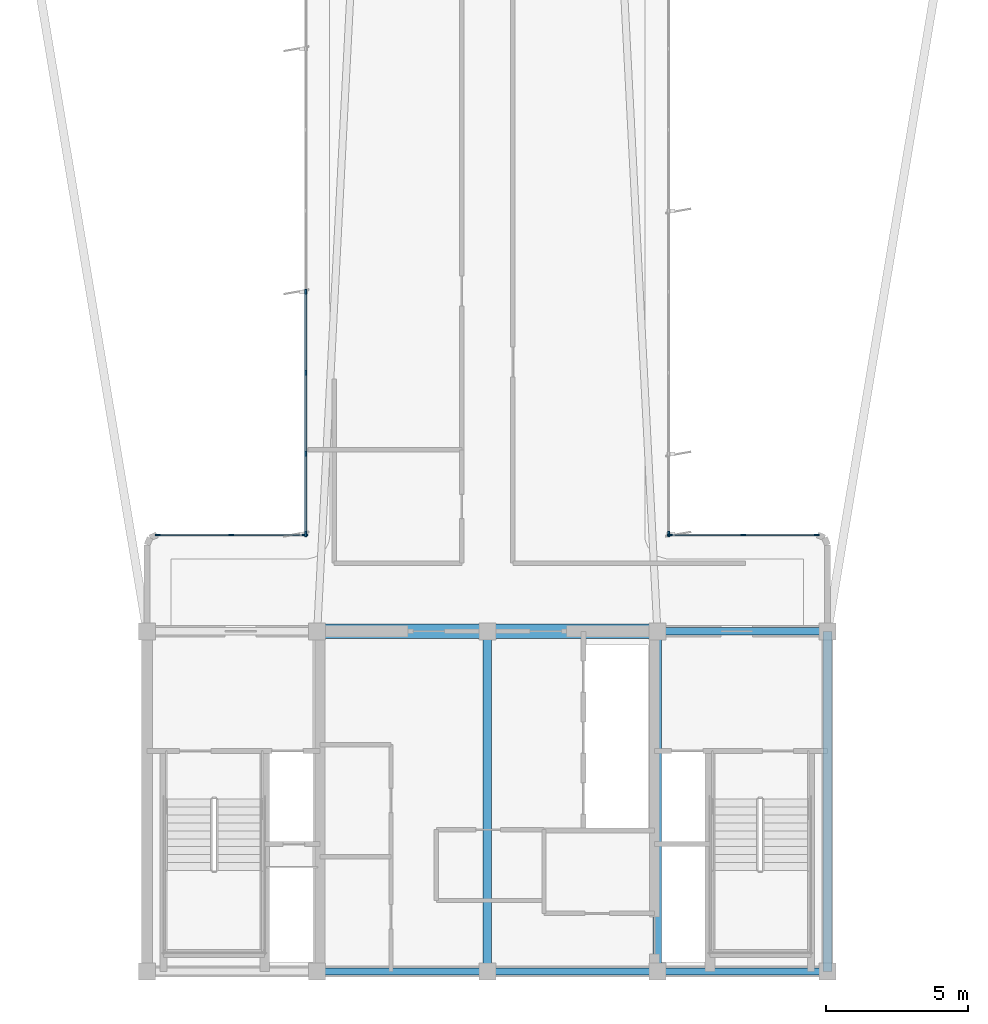
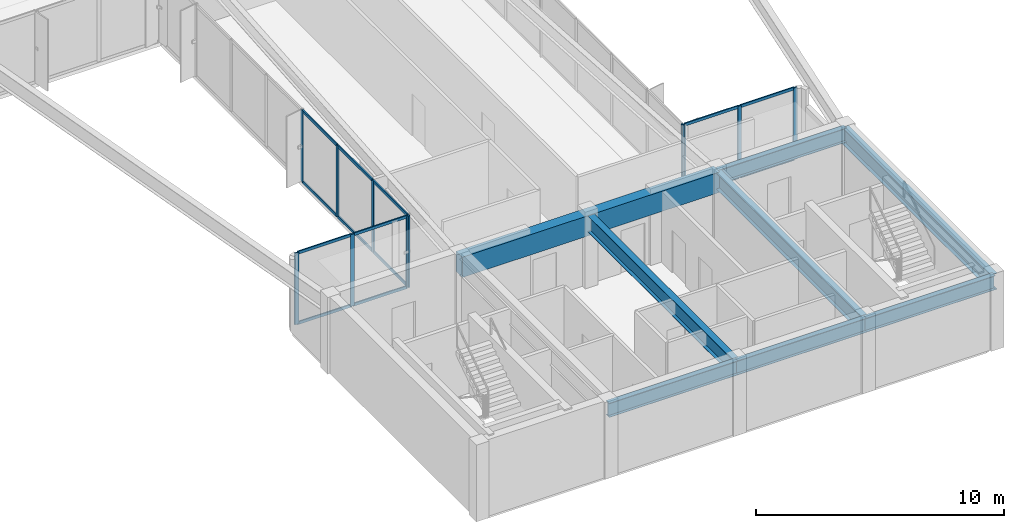
# One storey, part 2 of 15: 25 members, 8 beams, 4 elements without a shape of their own.
"""IFC4 building model written with IfcOpenShell, lengths in metres."""

import ifcopenshell
import ifcopenshell.guid

model = None  # the IFC model being written
_history = None  # IfcOwnerHistory: only IFC2X3 demands one
_inside = {}  # id of a spatial element -> (the spatial element, [elements in it])
_under = {}  # id of a project, library or spatial element -> (it, [spatial elements below it])
_declared = {}  # id of a project -> (the project, [libraries it declares])
_typed = {}  # id of a type object -> (the type object, [elements of that type])
_made_of = {}  # id of a material, layer set ... -> (it, [elements and type objects made of it])


def new_model(schema):
    """Start an empty IFC model of exactly this schema.

    Asked for "IFC4X3", IfcOpenShell would pick the latest addendum, in which some entities
    have other attributes; the version numbers below select the first issue.
    IFC2X3 requires an IfcOwnerHistory on every rooted entity: one is made here for all.
    """
    global model, _history
    if schema == "IFC4X3":
        model = ifcopenshell.file(schema_version=(4, 3, 0, 0))
    else:
        model = ifcopenshell.file(schema=schema)
    _inside.clear()
    _under.clear()
    _declared.clear()
    _typed.clear()
    _made_of.clear()
    _history = None
    if model.schema == "IFC2X3":
        org = make("IfcOrganization", Name="unknown")
        user = make(
            "IfcPersonAndOrganization",
            ThePerson=make("IfcPerson", FamilyName="unknown"),
            TheOrganization=org,
        )
        app = make(
            "IfcApplication",
            ApplicationDeveloper=org,
            Version="unknown",
            ApplicationFullName="unknown",
            ApplicationIdentifier="unknown",
        )
        _history = make(
            "IfcOwnerHistory",
            OwningUser=user,
            OwningApplication=app,
            ChangeAction="ADDED",
            CreationDate=0,
        )
    return model


def make(cls, **values):
    """One entity of the class cls with the attributes given. An attribute that is None is left unset."""
    return model.create_entity(
        cls, **{name: value for name, value in values.items() if value is not None}
    )


def rooted(cls, **values):
    """An entity with a GlobalId (a new one), such as an element, a storey or a relation."""
    return make(cls, GlobalId=ifcopenshell.guid.new(), OwnerHistory=_history, **values)


def si_unit(unit_type, name, prefix=None):
    """IfcSIUnit, for example si_unit("LENGTHUNIT", "METRE", prefix="MILLI")."""
    return make("IfcSIUnit", UnitType=unit_type, Prefix=prefix, Name=name)


def assignment(units):
    """IfcUnitAssignment: the units of a project."""
    return None if units is None else make("IfcUnitAssignment", Units=units)


def point(xyz):
    """IfcCartesianPoint."""
    return None if xyz is None else make("IfcCartesianPoint", Coordinates=xyz)


def direction(xyz):
    """IfcDirection."""
    return None if xyz is None else make("IfcDirection", DirectionRatios=xyz)


def frame(location, z_axis=None, x_axis=None):
    """IfcAxis2Placement3D, a coordinate frame: its origin and axes. An axis left out is left unset."""
    return make(
        "IfcAxis2Placement3D",
        Location=point(location),
        Axis=direction(z_axis),
        RefDirection=direction(x_axis),
    )


def frame_2d(location, x_axis=None):
    """IfcAxis2Placement2D, a coordinate frame in the plane: its origin and x axis."""
    return make(
        "IfcAxis2Placement2D", Location=point(location), RefDirection=direction(x_axis)
    )


def origin():
    """The frame at (0, 0, 0) with its axes left unset."""
    return frame((0.0, 0.0, 0.0))


def origin_2d():
    """The frame at (0, 0) in the plane with its x axis left unset."""
    return frame_2d((0.0, 0.0))


def place(relative_to, where):
    """IfcLocalPlacement: puts the frame where relative to a parent placement (None: the world)."""
    return make(
        "IfcLocalPlacement", PlacementRelTo=relative_to, RelativePlacement=where
    )


def context(
    kind, dimensions, precision=None, world=None, true_north=None, identifier=None
):
    """IfcGeometricRepresentationContext, for example the 3D "Model" context."""
    return make(
        "IfcGeometricRepresentationContext",
        ContextIdentifier=identifier,
        ContextType=kind,
        CoordinateSpaceDimension=dimensions,
        Precision=precision,
        WorldCoordinateSystem=world,
        TrueNorth=true_north,
    )


def subcontext(parent, identifier, kind, view, scale=None):
    """IfcGeometricRepresentationSubContext, for example "Body" below "Model"."""
    return make(
        "IfcGeometricRepresentationSubContext",
        ContextIdentifier=identifier,
        ContextType=kind,
        ParentContext=parent,
        TargetScale=scale,
        TargetView=view,
    )


def project(units=None, contexts=None):
    """IfcProject with its units and contexts."""
    return rooted(
        "IfcProject",
        Name="project",
        RepresentationContexts=contexts,
        UnitsInContext=assignment(units),
    )


def spatial(cls, under=None, at=None, **own):
    """A site, building, storey or space (cls), placed at a placement, below another one or the project."""
    s = rooted(cls, ObjectPlacement=at, **own)
    if under is not None:
        _under.setdefault(under.id(), (under, []))[1].append(s)
    return s


def profile(cls, at=None, kind="AREA", **sizes):
    """A parametric profile (cls). Its sizes go by their IFC names, for example OverallWidth=200.0."""
    return make(cls, ProfileType=kind, Position=at, **sizes)


def rectangle(**sizes):
    """IfcRectangleProfileDef."""
    return profile("IfcRectangleProfileDef", **sizes)


def i_section(**sizes):
    """IfcIShapeProfileDef."""
    return profile("IfcIShapeProfileDef", **sizes)


def extrude(swept, where, along, depth):
    """IfcExtrudedAreaSolid: the profile swept, set in the frame where, extruded along a direction by depth."""
    return make(
        "IfcExtrudedAreaSolid",
        SweptArea=swept,
        Position=where,
        ExtrudedDirection=direction(along),
        Depth=depth,
    )


def shape(context_of_items, identifier, shape_type, items):
    """IfcShapeRepresentation: the items that make up one representation, for example the "Body"."""
    return make(
        "IfcShapeRepresentation",
        ContextOfItems=context_of_items,
        RepresentationIdentifier=identifier,
        RepresentationType=shape_type,
        Items=items,
    )


def source(mapping_origin, context_of_items, identifier, shape_type, items):
    """IfcRepresentationMap: a shape defined once, which mapped items show again and again."""
    return make(
        "IfcRepresentationMap",
        MappingOrigin=mapping_origin,
        MappedRepresentation=shape(context_of_items, identifier, shape_type, items),
    )


def transform(
    local_origin,
    x_axis=None,
    y_axis=None,
    z_axis=None,
    scale=None,
    scale2=None,
    scale3=None,
    uniform=True,
):
    """IfcCartesianTransformationOperator3D, or its non-uniform kind. x_axis, y_axis, z_axis: its Axis1, 2, 3."""
    if uniform:
        return make(
            "IfcCartesianTransformationOperator3D",
            Axis1=direction(x_axis),
            Axis2=direction(y_axis),
            LocalOrigin=point(local_origin),
            Scale=scale,
            Axis3=direction(z_axis),
        )
    return make(
        "IfcCartesianTransformationOperator3DnonUniform",
        Axis1=direction(x_axis),
        Axis2=direction(y_axis),
        LocalOrigin=point(local_origin),
        Scale=scale,
        Axis3=direction(z_axis),
        Scale2=scale2,
        Scale3=scale3,
    )


def mapped(mapping_source, mapping_target):
    """IfcMappedItem: shows the shape of a source again, moved by a transform."""
    return make(
        "IfcMappedItem", MappingSource=mapping_source, MappingTarget=mapping_target
    )


def material(Name=None, Category=None):
    """IfcMaterial."""
    return make("IfcMaterial", Name=Name, Category=Category)


def layer(
    of_material, thickness, ventilated=None, Name=None, Category=None, Priority=None
):
    """IfcMaterialLayer: one layer of a wall or slab, of a material (None: an air gap)."""
    return make(
        "IfcMaterialLayer",
        Material=of_material,
        LayerThickness=thickness,
        IsVentilated=ventilated,
        Name=Name,
        Category=Category,
        Priority=Priority,
    )


def layer_set(layers, Name=None):
    """IfcMaterialLayerSet."""
    return make("IfcMaterialLayerSet", MaterialLayers=layers, LayerSetName=Name)


def material_profile(
    of_material, cross_section, Name=None, Category=None, Priority=None
):
    """IfcMaterialProfile: a cross section and its material."""
    return make(
        "IfcMaterialProfile",
        Name=Name,
        Material=of_material,
        Profile=cross_section,
        Priority=Priority,
        Category=Category,
    )


def profile_set(profiles, Name=None, composite=None):
    """IfcMaterialProfileSet."""
    return make(
        "IfcMaterialProfileSet",
        Name=Name,
        MaterialProfiles=profiles,
        CompositeProfile=composite,
    )


def made_of(thing, what):
    """Note that an element or type object is made of a material, layer set ...; save() writes the relation."""
    if what is not None:
        _made_of.setdefault(what.id(), (what, []))[1].append(thing)
    return thing


def type_object(cls, material=None, **own):
    """A type object (cls), such as IfcWallType, which elements share."""
    return made_of(rooted(cls, **own), material)


def element(
    cls,
    number,
    at=None,
    inside=None,
    cuts=None,
    type_object=None,
    material=None,
    context=None,
    identifier="Body",
    shape_type=None,
    held_by="IfcProductDefinitionShape",
    body=None,
    shapes=None,
    **own,
):
    """One element of the class cls, such as IfcWall. Its Tag is "e" and its number.

    at: its placement. inside: the storey or other place that contains it. cuts: it is an
    opening in that element (IfcRelVoidsElement). A single representation is given by context,
    identifier, shape_type and body (its items); several are given by shapes. held_by: the class
    of the entity that holds the representations. save() writes the other relations.
    """
    e = rooted(cls, Tag="e%d" % number, ObjectPlacement=at, **own)
    if body is not None:
        shapes = [shape(context, identifier, shape_type, body)]
    if shapes is not None:
        e.Representation = make(held_by, Representations=shapes)
    if inside is not None:
        _inside.setdefault(inside.id(), (inside, []))[1].append(e)
    if cuts is not None:
        rooted(
            "IfcRelVoidsElement", RelatingBuildingElement=cuts, RelatedOpeningElement=e
        )
    if type_object is not None:
        _typed.setdefault(type_object.id(), (type_object, []))[1].append(e)
    return made_of(e, material)


def aggregate(whole, parts):
    """IfcRelAggregates: a whole, such as a stair, and the parts it consists of."""
    return rooted("IfcRelAggregates", RelatingObject=whole, RelatedObjects=parts)


def save(model, path):
    """Write the relations noted so far, then the file.

    IfcRelAggregates (storeys below a building ...), IfcRelContainedInSpatialStructure (elements
    in a storey), IfcRelDefinesByType, IfcRelAssociatesMaterial and IfcRelDeclares: one each for
    every whole, place, type object, material and project.
    """
    for whole, parts in _under.values():
        aggregate(whole, parts)
    for where, things in _inside.values():
        rooted(
            "IfcRelContainedInSpatialStructure",
            RelatedElements=things,
            RelatingStructure=where,
        )
    for kind, things in _typed.values():
        rooted("IfcRelDefinesByType", RelatedObjects=things, RelatingType=kind)
    for what, things in _made_of.values():
        rooted("IfcRelAssociatesMaterial", RelatedObjects=things, RelatingMaterial=what)
    for by, libraries in _declared.values():
        rooted("IfcRelDeclares", RelatingContext=by, RelatedDefinitions=libraries)
    model.write(path)


model = new_model("IFC4")

# Units and contexts
model_context = context("Model", 3, precision=1e-05, world=origin(), true_north=direction((0.0, 1.0)))
body_context = subcontext(model_context, "Body", "Model", "MODEL_VIEW")
ifc_project = project(units=[si_unit("LENGTHUNIT", "METRE"), si_unit("AREAUNIT", "SQUARE_METRE"), si_unit("VOLUMEUNIT", "CUBIC_METRE"), si_unit("PLANEANGLEUNIT", "RADIAN"), si_unit("MASSUNIT", "GRAM", prefix="KILO")], contexts=[model_context])

# Site, building, storey
site_placement = place(None, origin())
site = spatial("IfcSite", under=ifc_project, at=site_placement, CompositionType="ELEMENT")
building_placement = place(site_placement, origin())
building = spatial("IfcBuilding", under=site, at=building_placement, Name="Brelvock Crest Care Tower", CompositionType="ELEMENT")
storey_placement = place(building_placement, frame((0.0, 0.0, 283.5)))
storey = spatial("IfcBuildingStorey", under=building, at=storey_placement, Name="L72", CompositionType="ELEMENT", Elevation=283.5)

# Beams
ifc_material_1 = material(Name="Steel Grade 350", Category="steel")
ifc_material_profile_1 = material_profile(ifc_material_1, i_section(OverallWidth=0.25, OverallDepth=0.699951171875, WebThickness=0.011962890625, FlangeThickness=0.02001953125, at=origin_2d()), Name="700WB150")
ifc_profile_set_1 = profile_set([ifc_material_profile_1], Name="Steel Grade 350")
beam_type_1 = type_object("IfcBeamType", Name="BM-G4", PredefinedType="BEAM", material=ifc_profile_set_1)
shared_shape_1 = source(origin(), body_context, "Body", "SweptSolid", [
    extrude(i_section(OverallWidth=0.25, OverallDepth=0.699951171875, WebThickness=0.011962890625, FlangeThickness=0.02001953125, at=origin_2d()), origin(), (0.0, 0.0, 1.0), 6.0),
])
for number, where, z_axis, x_axis, name in (
    (1, (30.0, 6.0, 3.179931640625), (1.0, 0.0, 0.0), (0.0, 1.0, 0.0), "BM-CORES-L72-2"),
    (2, (36.0, 6.0, 3.179931640625), (1.0, 0.0, 0.0), (0.0, 1.0, 0.0), "BM-CORES-L72-3"),
    (3, (42.0, 6.0, 3.179931640625), (1.0, 0.0, 0.0), (0.0, 1.0, 0.0), "BM-CORES-L72-4"),
    (4, (42.0, 18.0, 3.179931640625), (1.0, 0.0, 0.0), (0.0, 1.0, 0.0), "BM-COREN-L72-4"),
):
    element("IfcBeam", number, at=place(storey_placement, frame(where, z_axis=z_axis, x_axis=x_axis)), inside=storey, type_object=beam_type_1, Name=name, PredefinedType="BEAM", context=body_context, shape_type="MappedRepresentation", body=[
        mapped(shared_shape_1, transform((0.0, 0.0, 0.0), x_axis=(1.0, 0.0, 0.0), y_axis=(0.0, 1.0, 0.0), z_axis=(0.0, 0.0, 1.0), scale=1.0)),
    ])
ifc_material_profile_2 = material_profile(ifc_material_1, i_section(OverallWidth=0.300048828125, OverallDepth=0.800048828125, WebThickness=0.013916015625, FlangeThickness=0.02197265625, at=origin_2d()), Name="800WB192")
ifc_profile_set_2 = profile_set([ifc_material_profile_2], Name="Steel Grade 350")
beam_type_2 = type_object("IfcBeamType", Name="BM-G5", PredefinedType="BEAM", material=ifc_profile_set_2)
shared_shape_2 = source(origin(), body_context, "Body", "SweptSolid", [
    extrude(i_section(OverallWidth=0.300048828125, OverallDepth=0.800048828125, WebThickness=0.013916015625, FlangeThickness=0.02197265625, at=origin_2d()), origin(), (0.0, 0.0, 1.0), 12.0),
])
for number, where, z_axis, x_axis, name in (
    (5, (36.0, 6.0, 3.1298828125), (0.0, 1.0, 0.0), (-1.0, 0.0, 0.0), "BM-COREX-L72-3"),
    (6, (42.0, 6.0, 3.1298828125), (0.0, 1.0, 0.0), (-1.0, 0.0, 0.0), "BM-COREX-L72-4"),
    (7, (48.0, 6.0, 3.1298828125), (0.0, 1.0, 0.0), (-1.0, 0.0, 0.0), "BM-COREX-L72-5"),
):
    element("IfcBeam", number, at=place(storey_placement, frame(where, z_axis=z_axis, x_axis=x_axis)), inside=storey, type_object=beam_type_2, Name=name, PredefinedType="BEAM", context=body_context, shape_type="MappedRepresentation", body=[
        mapped(shared_shape_2, transform((0.0, 0.0, 0.0), x_axis=(1.0, 0.0, 0.0), y_axis=(0.0, 1.0, 0.0), z_axis=(0.0, 0.0, 1.0), scale=1.0)),
    ])
ifc_material_2 = material(Name="Concrete S65 (65 MPa)", Category="concrete")
ifc_material_profile_3 = material_profile(ifc_material_2, rectangle(XDim=0.5, YDim=1.0, at=origin_2d()), Name="RC500x1000")
ifc_profile_set_3 = profile_set([ifc_material_profile_3], Name="Concrete S65 (65 MPa)")
beam_type_3 = type_object("IfcBeamType", Name="BM-LN2", PredefinedType="LINTEL", material=ifc_profile_set_3)
shared_shape_3 = source(origin(), body_context, "Body", "SweptSolid", [
    extrude(rectangle(XDim=0.5, YDim=1.0, at=origin_2d()), origin(), (0.0, 0.0, 1.0), 12.0),
])
beam_placement = place(storey_placement, frame((30.0, 18.0, 3.030029296875), z_axis=(1.0, 0.0, 0.0), x_axis=(0.0, 1.0, 0.0)))
element("IfcBeam", 8, at=beam_placement, inside=storey, type_object=beam_type_3, Name="L72 Core Coupling Lintel Beam", PredefinedType="LINTEL", context=body_context, shape_type="MappedRepresentation", body=[
    mapped(shared_shape_3, transform((0.0, 0.0, 0.0), x_axis=(1.0, 0.0, 0.0), y_axis=(0.0, 1.0, 0.0), z_axis=(0.0, 0.0, 1.0), scale=1.0)),
])

# Curtain wall, members
ifc_material_3 = material(Name="Dark Glass Double Glazed Low-E", Category="glass")
ifc_layer = layer(ifc_material_3, 0.239990234375, Name="CWS-5")
ifc_layer_set = layer_set([ifc_layer], Name="Dark Glass Double Glazed Low-E")
curtain_wall_type = type_object("IfcCurtainWallType", Name="CWS-5", PredefinedType="NOTDEFINED", material=ifc_layer_set)
curtain_wall_1_placement = place(storey_placement, origin())
curtain_wall_1 = element("IfcCurtainWall", 9, at=curtain_wall_1_placement, inside=storey, type_object=curtain_wall_type, Name="L72 Curtain Wall E10", PredefinedType="NOTDEFINED")
ifc_material_4 = material(Name="Aluminium 6063-T6", Category="aluminium")
ifc_material_profile_4 = material_profile(ifc_material_4, rectangle(XDim=0.06005859375, YDim=0.179931640625, at=origin_2d()), Name="ALU60x180")
ifc_profile_set_4 = profile_set([ifc_material_profile_4], Name="Aluminium 6063-T6")
member_type_1 = type_object("IfcMemberType", Name="CWM-2", PredefinedType="MULLION", material=ifc_profile_set_4)
shared_shape_4 = source(origin(), body_context, "Body", "SweptSolid", [
    extrude(rectangle(XDim=0.06005859375, YDim=0.179931640625, at=origin_2d()), origin(), (0.0, 0.0, 1.0), 3.530029296875),
])
member_1_placement = place(storey_placement, frame((24.3798828125, 21.39990234375, 0.0), z_axis=(0.0, 0.0, 1.0), x_axis=(0.0, 1.0, 0.0)))
member_1 = element("IfcMember", 10, at=member_1_placement, type_object=member_type_1, Name="CW-5 mullion 1", PredefinedType="MULLION", context=body_context, shape_type="MappedRepresentation", body=[
    mapped(shared_shape_4, transform((0.0, 0.0, 0.0), x_axis=(1.0, 0.0, 0.0), y_axis=(0.0, 1.0, 0.0), z_axis=(0.0, 0.0, 1.0), scale=1.0)),
])
member_2_placement = place(storey_placement, frame((26.97509765625, 21.39990234375, 0.0), z_axis=(0.0, 0.0, 1.0), x_axis=(0.0, 1.0, 0.0)))
member_2 = element("IfcMember", 11, at=member_2_placement, type_object=member_type_1, Name="CW-5 mullion 2", PredefinedType="MULLION", context=body_context, shape_type="MappedRepresentation", body=[
    mapped(shared_shape_4, transform((0.0, 0.0, 0.0), x_axis=(1.0, 0.0, 0.0), y_axis=(0.0, 1.0, 0.0), z_axis=(0.0, 0.0, 1.0), scale=1.0)),
])
member_3_placement = place(storey_placement, frame((29.570068359375, 21.39990234375, 0.0), z_axis=(0.0, 0.0, 1.0), x_axis=(0.0, 1.0, 0.0)))
member_3 = element("IfcMember", 12, at=member_3_placement, type_object=member_type_1, Name="CW-5 mullion 3", PredefinedType="MULLION", context=body_context, shape_type="MappedRepresentation", body=[
    mapped(shared_shape_4, transform((0.0, 0.0, 0.0), x_axis=(1.0, 0.0, 0.0), y_axis=(0.0, 1.0, 0.0), z_axis=(0.0, 0.0, 1.0), scale=1.0)),
])

curtain_wall_2_placement = place(storey_placement, origin())
curtain_wall_2 = element("IfcCurtainWall", 13, at=curtain_wall_2_placement, inside=storey, type_object=curtain_wall_type, Name="L72 Curtain Wall E11", PredefinedType="NOTDEFINED")
member_4_placement = place(storey_placement, frame((29.60009765625, 21.429931640625, 0.0), z_axis=(0.0, 0.0, 1.0), x_axis=(-1.0, 0.0, 0.0)))
member_4 = element("IfcMember", 14, at=member_4_placement, type_object=member_type_1, Name="CW-5 mullion 1", PredefinedType="MULLION", context=body_context, shape_type="MappedRepresentation", body=[
    mapped(shared_shape_4, transform((0.0, 0.0, 0.0), x_axis=(1.0, 0.0, 0.0), y_axis=(0.0, 1.0, 0.0), z_axis=(0.0, 0.0, 1.0), scale=1.0)),
])
member_5_placement = place(storey_placement, frame((29.60009765625, 24.257080078125, 0.0), z_axis=(0.0, 0.0, 1.0), x_axis=(-1.0, 0.0, 0.0)))
member_5 = element("IfcMember", 15, at=member_5_placement, type_object=member_type_1, Name="CW-5 mullion 2", PredefinedType="MULLION", context=body_context, shape_type="MappedRepresentation", body=[
    mapped(shared_shape_4, transform((0.0, 0.0, 0.0), x_axis=(1.0, 0.0, 0.0), y_axis=(0.0, 1.0, 0.0), z_axis=(0.0, 0.0, 1.0), scale=1.0)),
])
member_6_placement = place(storey_placement, frame((29.60009765625, 27.1142578125, 0.0), z_axis=(0.0, 0.0, 1.0), x_axis=(-1.0, 0.0, 0.0)))
member_6 = element("IfcMember", 16, at=member_6_placement, type_object=member_type_1, Name="CW-5 mullion 3", PredefinedType="MULLION", context=body_context, shape_type="MappedRepresentation", body=[
    mapped(shared_shape_4, transform((0.0, 0.0, 0.0), x_axis=(1.0, 0.0, 0.0), y_axis=(0.0, 1.0, 0.0), z_axis=(0.0, 0.0, 1.0), scale=1.0)),
])
member_7_placement = place(storey_placement, frame((29.60009765625, 29.971435546875, 0.0), z_axis=(0.0, 0.0, 1.0), x_axis=(-1.0, 0.0, 0.0)))
member_7 = element("IfcMember", 17, at=member_7_placement, type_object=member_type_1, Name="CW-5 mullion 4", PredefinedType="MULLION", context=body_context, shape_type="MappedRepresentation", body=[
    mapped(shared_shape_4, transform((0.0, 0.0, 0.0), x_axis=(1.0, 0.0, 0.0), y_axis=(0.0, 1.0, 0.0), z_axis=(0.0, 0.0, 1.0), scale=1.0)),
])

# Curtain wall, member
curtain_wall_3_placement = place(storey_placement, origin())
curtain_wall_3 = element("IfcCurtainWall", 18, at=curtain_wall_3_placement, inside=storey, type_object=curtain_wall_type, Name="L72 Curtain Wall E45", PredefinedType="NOTDEFINED")
member_8_placement = place(storey_placement, frame((42.39990234375, 21.429931640625, 0.0), z_axis=(0.0, 0.0, 1.0), x_axis=(1.0, 0.0, 0.0)))
member_8 = element("IfcMember", 19, at=member_8_placement, type_object=member_type_1, Name="CW-5 mullion 8", PredefinedType="MULLION", context=body_context, shape_type="MappedRepresentation", body=[
    mapped(shared_shape_4, transform((0.0, 0.0, 0.0), x_axis=(1.0, 0.0, 0.0), y_axis=(0.0, 1.0, 0.0), z_axis=(0.0, 0.0, 1.0), scale=1.0)),
])
aggregate(curtain_wall_3, [member_8])

# Curtain wall, members
curtain_wall_4_placement = place(storey_placement, origin())
curtain_wall_4 = element("IfcCurtainWall", 20, at=curtain_wall_4_placement, inside=storey, type_object=curtain_wall_type, Name="L72 Curtain Wall E46", PredefinedType="NOTDEFINED")
member_9_placement = place(storey_placement, frame((42.429931640625, 21.39990234375, 0.0), z_axis=(0.0, 0.0, 1.0), x_axis=(0.0, 1.0, 0.0)))
member_9 = element("IfcMember", 21, at=member_9_placement, type_object=member_type_1, Name="CW-5 mullion 1", PredefinedType="MULLION", context=body_context, shape_type="MappedRepresentation", body=[
    mapped(shared_shape_4, transform((0.0, 0.0, 0.0), x_axis=(1.0, 0.0, 0.0), y_axis=(0.0, 1.0, 0.0), z_axis=(0.0, 0.0, 1.0), scale=1.0)),
])
member_10_placement = place(storey_placement, frame((45.02490234375, 21.39990234375, 0.0), z_axis=(0.0, 0.0, 1.0), x_axis=(0.0, 1.0, 0.0)))
member_10 = element("IfcMember", 22, at=member_10_placement, type_object=member_type_1, Name="CW-5 mullion 2", PredefinedType="MULLION", context=body_context, shape_type="MappedRepresentation", body=[
    mapped(shared_shape_4, transform((0.0, 0.0, 0.0), x_axis=(1.0, 0.0, 0.0), y_axis=(0.0, 1.0, 0.0), z_axis=(0.0, 0.0, 1.0), scale=1.0)),
])
member_11_placement = place(storey_placement, frame((47.6201171875, 21.39990234375, 0.0), z_axis=(0.0, 0.0, 1.0), x_axis=(0.0, 1.0, 0.0)))
member_11 = element("IfcMember", 23, at=member_11_placement, type_object=member_type_1, Name="CW-5 mullion 3", PredefinedType="MULLION", context=body_context, shape_type="MappedRepresentation", body=[
    mapped(shared_shape_4, transform((0.0, 0.0, 0.0), x_axis=(1.0, 0.0, 0.0), y_axis=(0.0, 1.0, 0.0), z_axis=(0.0, 0.0, 1.0), scale=1.0)),
])

# Member
ifc_material_profile_5 = material_profile(ifc_material_4, rectangle(XDim=0.06005859375, YDim=0.139892578125, at=origin_2d()), Name="ALU60x140")
ifc_profile_set_5 = profile_set([ifc_material_profile_5], Name="Aluminium 6063-T6")
member_type_2 = type_object("IfcMemberType", Name="CWT-2", PredefinedType="USERDEFINED", material=ifc_profile_set_5)
shared_shape_5 = source(origin(), body_context, "Body", "SweptSolid", [
    extrude(rectangle(XDim=0.06005859375, YDim=0.139892578125, at=origin_2d()), origin(), (0.0, 0.0, 1.0), 2.53515625),
])
member_12_placement = place(storey_placement, frame((24.409912109375, 21.39990234375, 0.030029296875), z_axis=(1.0, 0.0, 0.0), x_axis=(0.0, 1.0, 0.0)))
member_12 = element("IfcMember", 24, at=member_12_placement, type_object=member_type_2, Name="CW-5 transom 1.1", ObjectType="TRANSOM", PredefinedType="USERDEFINED", context=body_context, shape_type="MappedRepresentation", body=[
    mapped(shared_shape_5, transform((0.0, 0.0, 0.0), x_axis=(1.0, 0.0, 0.0), y_axis=(0.0, 1.0, 0.0), z_axis=(0.0, 0.0, 1.0), scale=1.0)),
])

member_13_placement = place(storey_placement, frame((24.409912109375, 21.39990234375, 3.5), z_axis=(1.0, 0.0, 0.0), x_axis=(0.0, 1.0, 0.0)))
member_13 = element("IfcMember", 25, at=member_13_placement, type_object=member_type_2, Name="CW-5 transom 1.2", ObjectType="TRANSOM", PredefinedType="USERDEFINED", context=body_context, shape_type="MappedRepresentation", body=[
    mapped(shared_shape_5, transform((0.0, 0.0, 0.0), x_axis=(1.0, 0.0, 0.0), y_axis=(0.0, 1.0, 0.0), z_axis=(0.0, 0.0, 1.0), scale=1.0)),
])

member_14_placement = place(storey_placement, frame((27.0048828125, 21.39990234375, 0.030029296875), z_axis=(1.0, 0.0, 0.0), x_axis=(0.0, 1.0, 0.0)))
member_14 = element("IfcMember", 26, at=member_14_placement, type_object=member_type_2, Name="CW-5 transom 2.1", ObjectType="TRANSOM", PredefinedType="USERDEFINED", context=body_context, shape_type="MappedRepresentation", body=[
    mapped(shared_shape_5, transform((0.0, 0.0, 0.0), x_axis=(1.0, 0.0, 0.0), y_axis=(0.0, 1.0, 0.0), z_axis=(0.0, 0.0, 1.0), scale=1.0)),
])

member_15_placement = place(storey_placement, frame((27.0048828125, 21.39990234375, 3.5), z_axis=(1.0, 0.0, 0.0), x_axis=(0.0, 1.0, 0.0)))
member_15 = element("IfcMember", 27, at=member_15_placement, type_object=member_type_2, Name="CW-5 transom 2.2", ObjectType="TRANSOM", PredefinedType="USERDEFINED", context=body_context, shape_type="MappedRepresentation", body=[
    mapped(shared_shape_5, transform((0.0, 0.0, 0.0), x_axis=(1.0, 0.0, 0.0), y_axis=(0.0, 1.0, 0.0), z_axis=(0.0, 0.0, 1.0), scale=1.0)),
])

aggregate(curtain_wall_1, [member_1, member_2, member_3, member_12, member_13, member_14, member_15])

member_16_placement = place(storey_placement, frame((42.4599609375, 21.39990234375, 0.030029296875), z_axis=(1.0, 0.0, 0.0), x_axis=(0.0, 1.0, 0.0)))
member_16 = element("IfcMember", 28, at=member_16_placement, type_object=member_type_2, Name="CW-5 transom 1.1", ObjectType="TRANSOM", PredefinedType="USERDEFINED", context=body_context, shape_type="MappedRepresentation", body=[
    mapped(shared_shape_5, transform((0.0, 0.0, 0.0), x_axis=(1.0, 0.0, 0.0), y_axis=(0.0, 1.0, 0.0), z_axis=(0.0, 0.0, 1.0), scale=1.0)),
])

member_17_placement = place(storey_placement, frame((42.4599609375, 21.39990234375, 3.5), z_axis=(1.0, 0.0, 0.0), x_axis=(0.0, 1.0, 0.0)))
member_17 = element("IfcMember", 29, at=member_17_placement, type_object=member_type_2, Name="CW-5 transom 1.2", ObjectType="TRANSOM", PredefinedType="USERDEFINED", context=body_context, shape_type="MappedRepresentation", body=[
    mapped(shared_shape_5, transform((0.0, 0.0, 0.0), x_axis=(1.0, 0.0, 0.0), y_axis=(0.0, 1.0, 0.0), z_axis=(0.0, 0.0, 1.0), scale=1.0)),
])

member_18_placement = place(storey_placement, frame((45.054931640625, 21.39990234375, 0.030029296875), z_axis=(1.0, 0.0, 0.0), x_axis=(0.0, 1.0, 0.0)))
member_18 = element("IfcMember", 30, at=member_18_placement, type_object=member_type_2, Name="CW-5 transom 2.1", ObjectType="TRANSOM", PredefinedType="USERDEFINED", context=body_context, shape_type="MappedRepresentation", body=[
    mapped(shared_shape_5, transform((0.0, 0.0, 0.0), x_axis=(1.0, 0.0, 0.0), y_axis=(0.0, 1.0, 0.0), z_axis=(0.0, 0.0, 1.0), scale=1.0)),
])

member_19_placement = place(storey_placement, frame((45.054931640625, 21.39990234375, 3.5), z_axis=(1.0, 0.0, 0.0), x_axis=(0.0, 1.0, 0.0)))
member_19 = element("IfcMember", 31, at=member_19_placement, type_object=member_type_2, Name="CW-5 transom 2.2", ObjectType="TRANSOM", PredefinedType="USERDEFINED", context=body_context, shape_type="MappedRepresentation", body=[
    mapped(shared_shape_5, transform((0.0, 0.0, 0.0), x_axis=(1.0, 0.0, 0.0), y_axis=(0.0, 1.0, 0.0), z_axis=(0.0, 0.0, 1.0), scale=1.0)),
])

aggregate(curtain_wall_4, [member_9, member_10, member_11, member_16, member_17, member_18, member_19])

shared_shape_6 = source(origin(), body_context, "Body", "SweptSolid", [
    extrude(rectangle(XDim=0.06005859375, YDim=0.139892578125, at=origin_2d()), origin(), (0.0, 0.0, 1.0), 2.76708984375),
])
member_20_placement = place(storey_placement, frame((29.60009765625, 21.4599609375, 0.030029296875), z_axis=(0.0, 1.0, 0.0), x_axis=(-1.0, 0.0, 0.0)))
member_20 = element("IfcMember", 32, at=member_20_placement, type_object=member_type_2, Name="CW-5 transom 1.1", ObjectType="TRANSOM", PredefinedType="USERDEFINED", context=body_context, shape_type="MappedRepresentation", body=[
    mapped(shared_shape_6, transform((0.0, 0.0, 0.0), x_axis=(1.0, 0.0, 0.0), y_axis=(0.0, 1.0, 0.0), z_axis=(0.0, 0.0, 1.0), scale=1.0)),
])

member_21_placement = place(storey_placement, frame((29.60009765625, 21.4599609375, 3.5), z_axis=(0.0, 1.0, 0.0), x_axis=(-1.0, 0.0, 0.0)))
member_21 = element("IfcMember", 33, at=member_21_placement, type_object=member_type_2, Name="CW-5 transom 1.2", ObjectType="TRANSOM", PredefinedType="USERDEFINED", context=body_context, shape_type="MappedRepresentation", body=[
    mapped(shared_shape_6, transform((0.0, 0.0, 0.0), x_axis=(1.0, 0.0, 0.0), y_axis=(0.0, 1.0, 0.0), z_axis=(0.0, 0.0, 1.0), scale=1.0)),
])

shared_shape_7 = source(origin(), body_context, "Body", "SweptSolid", [
    extrude(rectangle(XDim=0.06005859375, YDim=0.139892578125, at=origin_2d()), origin(), (0.0, 0.0, 1.0), 2.797119140625),
])
member_22_placement = place(storey_placement, frame((29.60009765625, 24.287109375, 0.030029296875), z_axis=(0.0, 1.0, 0.0), x_axis=(-1.0, 0.0, 0.0)))
member_22 = element("IfcMember", 34, at=member_22_placement, type_object=member_type_2, Name="CW-5 transom 2.1", ObjectType="TRANSOM", PredefinedType="USERDEFINED", context=body_context, shape_type="MappedRepresentation", body=[
    mapped(shared_shape_7, transform((0.0, 0.0, 0.0), x_axis=(1.0, 0.0, 0.0), y_axis=(0.0, 1.0, 0.0), z_axis=(0.0, 0.0, 1.0), scale=1.0)),
])

member_23_placement = place(storey_placement, frame((29.60009765625, 24.287109375, 3.5), z_axis=(0.0, 1.0, 0.0), x_axis=(-1.0, 0.0, 0.0)))
member_23 = element("IfcMember", 35, at=member_23_placement, type_object=member_type_2, Name="CW-5 transom 2.2", ObjectType="TRANSOM", PredefinedType="USERDEFINED", context=body_context, shape_type="MappedRepresentation", body=[
    mapped(shared_shape_7, transform((0.0, 0.0, 0.0), x_axis=(1.0, 0.0, 0.0), y_axis=(0.0, 1.0, 0.0), z_axis=(0.0, 0.0, 1.0), scale=1.0)),
])

member_24_placement = place(storey_placement, frame((29.60009765625, 27.144287109375, 0.030029296875), z_axis=(0.0, 1.0, 0.0), x_axis=(-1.0, 0.0, 0.0)))
member_24 = element("IfcMember", 36, at=member_24_placement, type_object=member_type_2, Name="CW-5 transom 3.1", ObjectType="TRANSOM", PredefinedType="USERDEFINED", context=body_context, shape_type="MappedRepresentation", body=[
    mapped(shared_shape_7, transform((0.0, 0.0, 0.0), x_axis=(1.0, 0.0, 0.0), y_axis=(0.0, 1.0, 0.0), z_axis=(0.0, 0.0, 1.0), scale=1.0)),
])

member_25_placement = place(storey_placement, frame((29.60009765625, 27.144287109375, 3.5), z_axis=(0.0, 1.0, 0.0), x_axis=(-1.0, 0.0, 0.0)))
member_25 = element("IfcMember", 37, at=member_25_placement, type_object=member_type_2, Name="CW-5 transom 3.2", ObjectType="TRANSOM", PredefinedType="USERDEFINED", context=body_context, shape_type="MappedRepresentation", body=[
    mapped(shared_shape_7, transform((0.0, 0.0, 0.0), x_axis=(1.0, 0.0, 0.0), y_axis=(0.0, 1.0, 0.0), z_axis=(0.0, 0.0, 1.0), scale=1.0)),
])

aggregate(curtain_wall_2, [member_4, member_5, member_6, member_7, member_20, member_21, member_22, member_23, member_24, member_25])

save(model, "model.ifc")
